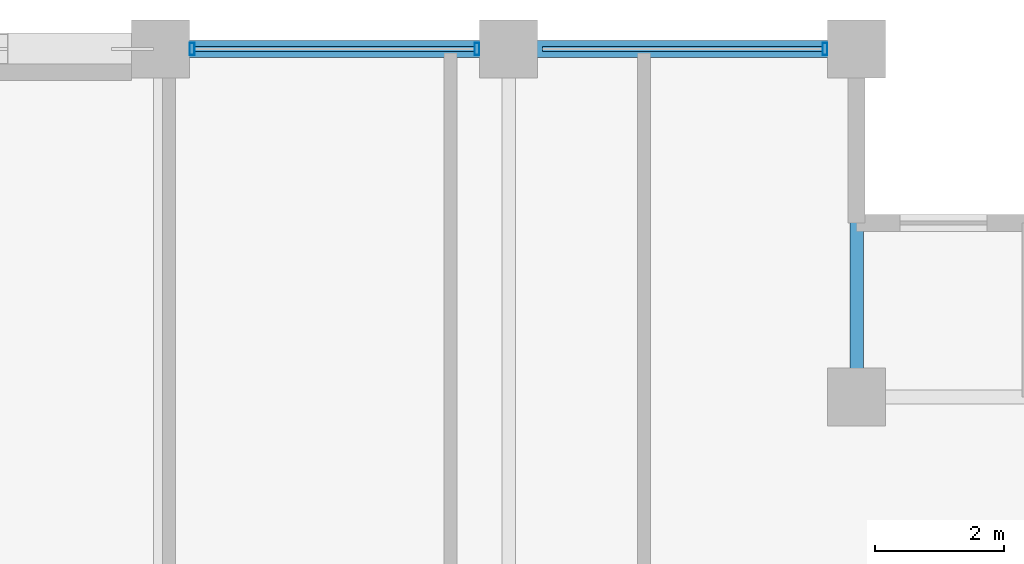
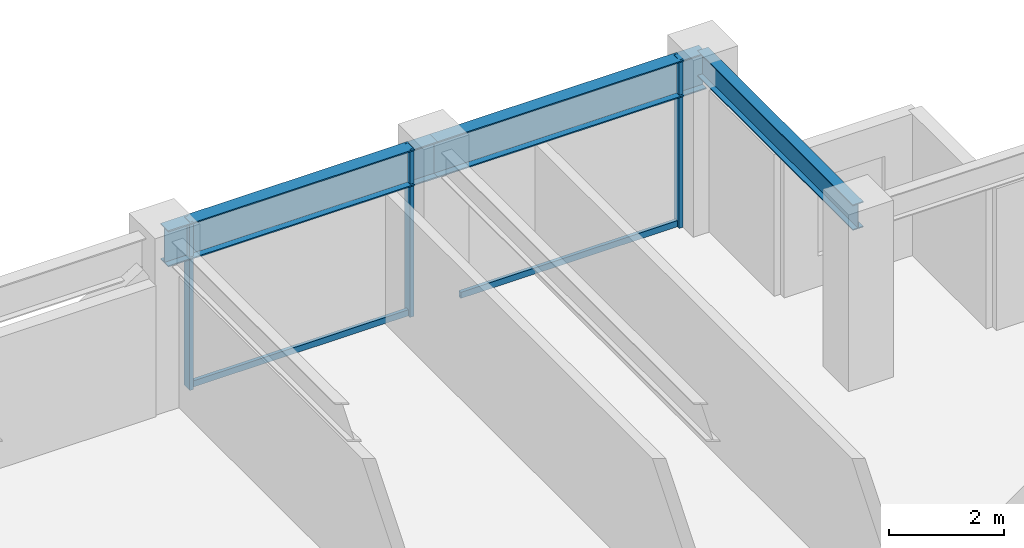
# One storey, part 19 of 28: 5 members, 3 beams, 1 element without a shape of its own.
"""IFC4 building model written with IfcOpenShell, lengths in metres."""

from ifc_helpers import new_model, si_unit, direction, frame, origin, origin_2d, place, context, subcontext, project, spatial, hollow_rectangle, i_section, extrude, material, layer, layer_set, material_profile, profile_set, type_object, element, aggregate, save


model = new_model("IFC4")

# Units and contexts
model_context = context("Model", 3, precision=1e-05, world=origin(), true_north=direction((0.0, 1.0)))
body_context = subcontext(model_context, "Body", "Model", "MODEL_VIEW")
ifc_project = project(units=[si_unit("LENGTHUNIT", "METRE"), si_unit("AREAUNIT", "SQUARE_METRE"), si_unit("VOLUMEUNIT", "CUBIC_METRE"), si_unit("PLANEANGLEUNIT", "RADIAN"), si_unit("MASSUNIT", "GRAM", prefix="KILO")], contexts=[model_context])

# Site, building, storey
site_placement = place(None, origin())
site = spatial("IfcSite", under=ifc_project, at=site_placement, CompositionType="ELEMENT")
building_placement = place(site_placement, origin())
building = spatial("IfcBuilding", under=site, at=building_placement, Name="Surkhivell Harbour Commons", CompositionType="ELEMENT")
storey_placement = place(building_placement, frame((0.0, 0.0, 174.75)))
storey = spatial("IfcBuildingStorey", under=building, at=storey_placement, Name="L45", CompositionType="ELEMENT", Elevation=174.75)

# Beams
ifc_material_1 = material(Name="Steel S355", Category="steel")
ifc_material_profile_1 = material_profile(ifc_material_1, i_section(OverallWidth=0.2119140625, OverallDepth=0.5439453125, WebThickness=0.0126953125, FlangeThickness=0.021240234375, at=origin_2d()), Name="UB533x210x122")
ifc_profile_set_1 = profile_set([ifc_material_profile_1], Name="Steel S355")
beam_type_1 = type_object("IfcBeamType", Name="BM-GRD-533A", PredefinedType="BEAM", material=ifc_profile_set_1)
beam_1_placement = place(storey_placement, frame((16.199951171875, 20.5, 3.298095703125), z_axis=(0.0, 1.0, 0.0), x_axis=(-1.0, 0.0, 0.0)))
element("IfcBeam", 1, at=beam_1_placement, inside=storey, type_object=beam_type_1, Name="L45 Floor Girder (16.2,20.5)", PredefinedType="BEAM", context=body_context, shape_type="SweptSolid", body=[
    extrude(i_section(OverallWidth=0.2119140625, OverallDepth=0.5439453125, WebThickness=0.0126953125, FlangeThickness=0.021240234375, at=origin_2d()), origin(), (0.0, 0.0, 1.0), 5.39990234375),
])
ifc_material_profile_2 = material_profile(ifc_material_1, i_section(OverallWidth=0.26806640625, OverallDepth=0.77001953125, WebThickness=0.015625, FlangeThickness=0.025390625, at=origin_2d()), Name="UB762x267x197")
ifc_profile_set_2 = profile_set([ifc_material_profile_2], Name="Steel S355")
beam_type_2 = type_object("IfcBeamType", Name="BM-SPN-762", PredefinedType="SPANDREL", material=ifc_profile_set_2)
beam_2_placement = place(storey_placement, frame((5.39990234375, 25.89990234375, 3.18505859375), z_axis=(1.0, 0.0, 0.0), x_axis=(0.0, 1.0, 0.0)))
element("IfcBeam", 2, at=beam_2_placement, inside=storey, type_object=beam_type_2, Name="L45 Tube Spandrel (5.4,25.9)", PredefinedType="SPANDREL", context=body_context, shape_type="SweptSolid", body=[
    extrude(i_section(OverallWidth=0.26806640625, OverallDepth=0.77001953125, WebThickness=0.015625, FlangeThickness=0.025390625, at=origin_2d()), origin(), (0.0, 0.0, 1.0), 5.400146484375),
])
beam_3_placement = place(storey_placement, frame((10.800048828125, 25.89990234375, 3.18505859375), z_axis=(1.0, 0.0, 0.0), x_axis=(0.0, 1.0, 0.0)))
element("IfcBeam", 3, at=beam_3_placement, inside=storey, type_object=beam_type_2, Name="L45 Tube Spandrel (10.8,25.9)", PredefinedType="SPANDREL", context=body_context, shape_type="SweptSolid", body=[
    extrude(i_section(OverallWidth=0.26806640625, OverallDepth=0.77001953125, WebThickness=0.015625, FlangeThickness=0.025390625, at=origin_2d()), origin(), (0.0, 0.0, 1.0), 5.39990234375),
])

# Curtain wall, members
ifc_material_2 = material(Name="Anodised pale-metal aluminium and insulated glazing", Category="aluminium")
ifc_layer = layer(ifc_material_2, 0.18994140625)
ifc_layer_set = layer_set([ifc_layer], Name="Anodised pale-metal aluminium and insulated glazing")
curtain_wall_type = type_object("IfcCurtainWallType", Name="CW-SYS-Z3", PredefinedType="NOTDEFINED", material=ifc_layer_set)
curtain_wall_placement = place(storey_placement, origin())
curtain_wall = element("IfcCurtainWall", 4, at=curtain_wall_placement, inside=storey, type_object=curtain_wall_type, Name="L45 Curtain Wall CW-L45-E07S1", PredefinedType="NOTDEFINED")
ifc_material_3 = material(Name="Anodised pale-metal aluminium alloy 6063-T6", Category="aluminium")
ifc_material_profile_3 = material_profile(ifc_material_3, hollow_rectangle(XDim=0.074951171875, YDim=0.18994140625, WallThickness=0.00390625, at=origin_2d()), Name="ALU-MULL-75x190")
ifc_profile_set_3 = profile_set([ifc_material_profile_3], Name="Anodised pale-metal aluminium alloy 6063-T6")
member_type_1 = type_object("IfcMemberType", Name="CWM-190", PredefinedType="MULLION", material=ifc_profile_set_3)
member_1_placement = place(storey_placement, frame((15.71044921875, 25.89990234375, 0.0), z_axis=(0.0, 0.0, 1.0), x_axis=(-1.0, 0.0, 0.0)))
member_1 = element("IfcMember", 5, at=member_1_placement, type_object=member_type_1, Name="CW-Z3 mullion 1", PredefinedType="MULLION", context=body_context, shape_type="SweptSolid", body=[
    extrude(hollow_rectangle(XDim=0.074951171875, YDim=0.18994140625, WallThickness=0.00390625, at=origin_2d()), origin(), (0.0, 0.0, 1.0), 3.570068359375),
])
member_2_placement = place(storey_placement, frame((10.310546875, 25.89990234375, 0.0), z_axis=(0.0, 0.0, 1.0), x_axis=(-1.0, 0.0, 0.0)))
member_2 = element("IfcMember", 6, at=member_2_placement, type_object=member_type_1, Name="CW-Z3 mullion 2", PredefinedType="MULLION", context=body_context, shape_type="SweptSolid", body=[
    extrude(hollow_rectangle(XDim=0.074951171875, YDim=0.18994140625, WallThickness=0.00390625, at=origin_2d()), origin(), (0.0, 0.0, 1.0), 3.570068359375),
])
member_3_placement = place(storey_placement, frame((5.889404296875, 25.89990234375, 0.0), z_axis=(0.0, 0.0, 1.0), x_axis=(-1.0, 0.0, 0.0)))
member_3 = element("IfcMember", 7, at=member_3_placement, type_object=member_type_1, Name="CW-Z3 mullion 3", PredefinedType="MULLION", context=body_context, shape_type="SweptSolid", body=[
    extrude(hollow_rectangle(XDim=0.074951171875, YDim=0.18994140625, WallThickness=0.00390625, at=origin_2d()), origin(), (0.0, 0.0, 1.0), 3.570068359375),
])
ifc_material_4 = material(Name="Champagne anodised aluminium alloy 6063-T6", Category="aluminium")
ifc_material_profile_4 = material_profile(ifc_material_4, hollow_rectangle(XDim=0.070068359375, YDim=0.1298828125, WallThickness=0.00341796875, at=origin_2d()), Name="ALU-TRAN-70x130")
ifc_profile_set_4 = profile_set([ifc_material_profile_4], Name="Champagne anodised aluminium alloy 6063-T6")
member_type_2 = type_object("IfcMemberType", Name="CWT-130", PredefinedType="USERDEFINED", material=ifc_profile_set_4)
member_4_placement = place(storey_placement, frame((15.673095703125, 25.89990234375, 0.06494140625), z_axis=(-1.0, 0.0, 0.0), x_axis=(0.0, -1.0, 0.0)))
member_4 = element("IfcMember", 8, at=member_4_placement, type_object=member_type_2, Name="CW-Z3 transom 1.1", ObjectType="TRANSOM", PredefinedType="USERDEFINED", context=body_context, shape_type="SweptSolid", body=[
    extrude(hollow_rectangle(XDim=0.070068359375, YDim=0.1298828125, WallThickness=0.00341796875, at=origin_2d()), origin(), (0.0, 0.0, 1.0), 4.34619140625),
])
member_5_placement = place(storey_placement, frame((10.27294921875, 25.89990234375, 0.06494140625), z_axis=(-1.0, 0.0, 0.0), x_axis=(0.0, -1.0, 0.0)))
member_5 = element("IfcMember", 9, at=member_5_placement, type_object=member_type_2, Name="CW-Z3 transom 2.1", ObjectType="TRANSOM", PredefinedType="USERDEFINED", context=body_context, shape_type="SweptSolid", body=[
    extrude(hollow_rectangle(XDim=0.070068359375, YDim=0.1298828125, WallThickness=0.00341796875, at=origin_2d()), origin(), (0.0, 0.0, 1.0), 4.345947265625),
])
aggregate(curtain_wall, [member_1, member_4, member_2, member_3, member_5])

save(model, "model.ifc")
